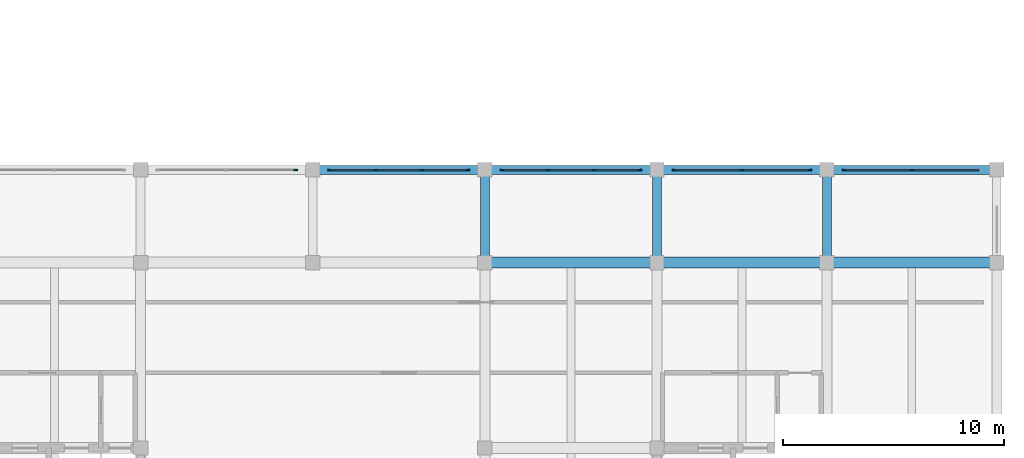
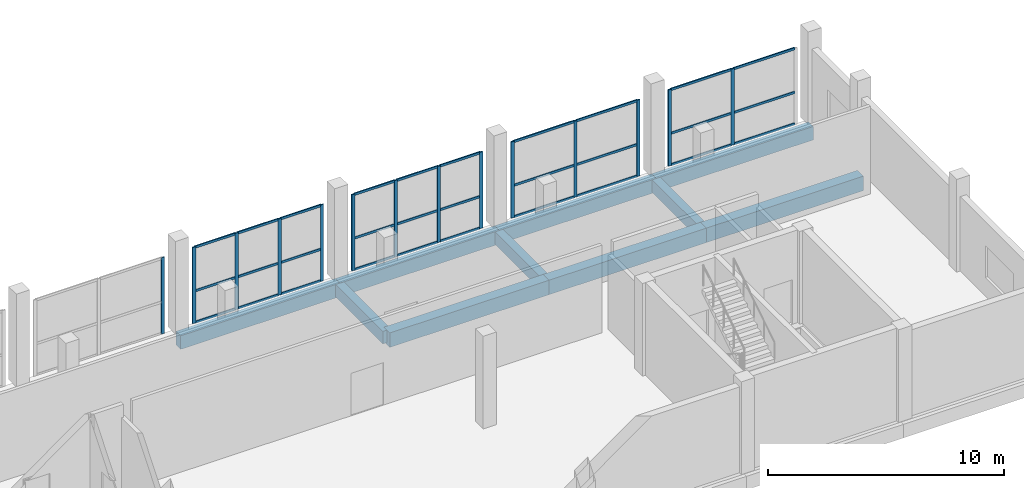
# One storey, part 24 of 47: 44 members, 10 beams, 5 elements without a shape of their own.
"""IFC4 building model written with IfcOpenShell, lengths in metres."""

from ifc_helpers import new_model, si_unit, direction, frame, origin, origin_2d, place, context, subcontext, project, spatial, rectangle, extrude, material, material_profile, profile_set, type_object, element, aggregate, save


model = new_model("IFC4")

# Units and contexts
model_context = context("Model", 3, precision=1e-05, world=origin(), true_north=direction((0.0, 1.0)))
body_context = subcontext(model_context, "Body", "Model", "MODEL_VIEW")
ifc_project = project(units=[si_unit("LENGTHUNIT", "METRE"), si_unit("AREAUNIT", "SQUARE_METRE"), si_unit("VOLUMEUNIT", "CUBIC_METRE"), si_unit("PLANEANGLEUNIT", "RADIAN"), si_unit("MASSUNIT", "GRAM", prefix="KILO")], contexts=[model_context])

# Site, building, storey
site_placement = place(None, origin())
site = spatial("IfcSite", under=ifc_project, at=site_placement, CompositionType="ELEMENT")
building_placement = place(site_placement, origin())
building = spatial("IfcBuilding", under=site, at=building_placement, Name="Vharandega Faculty of Natural Sciences", CompositionType="ELEMENT")
storey_placement = place(building_placement, frame((0.0, 0.0, 5.39990234375)))
storey = spatial("IfcBuildingStorey", under=building, at=storey_placement, Name="L01", CompositionType="ELEMENT", Elevation=5.39990234375)

# Curtain wall, member
ifc_material_1 = material(Name="Aluminium and solar-control glass curtain wall", Category="aluminium")
curtain_wall_type_1 = type_object("IfcCurtainWallType", Name="Unitised Curtain Wall System CW-04", PredefinedType="NOTDEFINED", material=ifc_material_1)
curtain_wall_1_placement = place(storey_placement, origin())
curtain_wall_1 = element("IfcCurtainWall", 1, at=curtain_wall_1_placement, inside=storey, type_object=curtain_wall_type_1, Name="Curtain Wall CW-L01-003", PredefinedType="NOTDEFINED")
ifc_material_2 = material(Name="Thermally broken aluminium 6063-T6", Category="aluminium")
ifc_material_profile_1 = material_profile(ifc_material_2, rectangle(XDim=0.06005859375, YDim=0.159912109375, at=origin_2d()), Name="ALU 60x160")
ifc_profile_set_1 = profile_set([ifc_material_profile_1], Name="Thermally broken aluminium 6063-T6")
member_type_1 = type_object("IfcMemberType", Name="CW Mullion 60x160", PredefinedType="MULLION", material=ifc_profile_set_1)
member_1_placement = place(storey_placement, frame((129.6298828125, 85.0, 0.0), z_axis=(0.0, 0.0, 1.0), x_axis=(0.0, 1.0, 0.0)))
member_1 = element("IfcMember", 2, at=member_1_placement, type_object=member_type_1, Name="CW-04 mullion 3", PredefinedType="MULLION", context=body_context, shape_type="SweptSolid", body=[
    extrude(rectangle(XDim=0.06005859375, YDim=0.159912109375, at=origin_2d()), origin(), (0.0, 0.0, 1.0), 3.9501953125),
])
aggregate(curtain_wall_1, [member_1])

# Curtain wall, members
ifc_material_3 = material(Name="Aluminium and solar-control glass curtain wall", Category="aluminium")
curtain_wall_type_2 = type_object("IfcCurtainWallType", Name="Unitised Curtain Wall System CW-05", PredefinedType="NOTDEFINED", material=ifc_material_3)
curtain_wall_2_placement = place(storey_placement, origin())
curtain_wall_2 = element("IfcCurtainWall", 3, at=curtain_wall_2_placement, inside=storey, type_object=curtain_wall_type_2, Name="Curtain Wall CW-L01-004", PredefinedType="NOTDEFINED")
member_2_placement = place(storey_placement, frame((131.169921875, 85.0, 0.0), z_axis=(0.0, 0.0, 1.0), x_axis=(0.0, 1.0, 0.0)))
member_2 = element("IfcMember", 4, at=member_2_placement, type_object=member_type_1, Name="CW-05 mullion 1", PredefinedType="MULLION", context=body_context, shape_type="SweptSolid", body=[
    extrude(rectangle(XDim=0.06005859375, YDim=0.159912109375, at=origin_2d()), origin(), (0.0, 0.0, 1.0), 3.9501953125),
])
member_3_placement = place(storey_placement, frame((133.24658203125, 85.0, 0.0), z_axis=(0.0, 0.0, 1.0), x_axis=(0.0, 1.0, 0.0)))
member_3 = element("IfcMember", 5, at=member_3_placement, type_object=member_type_1, Name="CW-05 mullion 2", PredefinedType="MULLION", context=body_context, shape_type="SweptSolid", body=[
    extrude(rectangle(XDim=0.06005859375, YDim=0.159912109375, at=origin_2d()), origin(), (0.0, 0.0, 1.0), 3.9501953125),
])
member_4_placement = place(storey_placement, frame((135.353271484375, 85.0, 0.0), z_axis=(0.0, 0.0, 1.0), x_axis=(0.0, 1.0, 0.0)))
member_4 = element("IfcMember", 6, at=member_4_placement, type_object=member_type_1, Name="CW-05 mullion 3", PredefinedType="MULLION", context=body_context, shape_type="SweptSolid", body=[
    extrude(rectangle(XDim=0.06005859375, YDim=0.159912109375, at=origin_2d()), origin(), (0.0, 0.0, 1.0), 3.9501953125),
])
member_5_placement = place(storey_placement, frame((137.429931640625, 85.0, 0.0), z_axis=(0.0, 0.0, 1.0), x_axis=(0.0, 1.0, 0.0)))
member_5 = element("IfcMember", 7, at=member_5_placement, type_object=member_type_1, Name="CW-05 mullion 4", PredefinedType="MULLION", context=body_context, shape_type="SweptSolid", body=[
    extrude(rectangle(XDim=0.06005859375, YDim=0.159912109375, at=origin_2d()), origin(), (0.0, 0.0, 1.0), 3.9501953125),
])

ifc_material_4 = material(Name="Aluminium and solar-control glass curtain wall", Category="aluminium")
curtain_wall_type_3 = type_object("IfcCurtainWallType", Name="Unitised Curtain Wall System CW-06", PredefinedType="NOTDEFINED", material=ifc_material_4)
curtain_wall_3_placement = place(storey_placement, origin())
curtain_wall_3 = element("IfcCurtainWall", 8, at=curtain_wall_3_placement, inside=storey, type_object=curtain_wall_type_3, Name="Curtain Wall CW-L01-005", PredefinedType="NOTDEFINED")
member_6_placement = place(storey_placement, frame((138.969970703125, 85.0, 0.0), z_axis=(0.0, 0.0, 1.0), x_axis=(0.0, 1.0, 0.0)))
member_6 = element("IfcMember", 9, at=member_6_placement, type_object=member_type_1, Name="CW-06 mullion 1", PredefinedType="MULLION", context=body_context, shape_type="SweptSolid", body=[
    extrude(rectangle(XDim=0.06005859375, YDim=0.159912109375, at=origin_2d()), origin(), (0.0, 0.0, 1.0), 3.9501953125),
])
member_7_placement = place(storey_placement, frame((141.046630859375, 85.0, 0.0), z_axis=(0.0, 0.0, 1.0), x_axis=(0.0, 1.0, 0.0)))
member_7 = element("IfcMember", 10, at=member_7_placement, type_object=member_type_1, Name="CW-06 mullion 2", PredefinedType="MULLION", context=body_context, shape_type="SweptSolid", body=[
    extrude(rectangle(XDim=0.06005859375, YDim=0.159912109375, at=origin_2d()), origin(), (0.0, 0.0, 1.0), 3.9501953125),
])
member_8_placement = place(storey_placement, frame((143.1533203125, 85.0, 0.0), z_axis=(0.0, 0.0, 1.0), x_axis=(0.0, 1.0, 0.0)))
member_8 = element("IfcMember", 11, at=member_8_placement, type_object=member_type_1, Name="CW-06 mullion 3", PredefinedType="MULLION", context=body_context, shape_type="SweptSolid", body=[
    extrude(rectangle(XDim=0.06005859375, YDim=0.159912109375, at=origin_2d()), origin(), (0.0, 0.0, 1.0), 3.9501953125),
])
member_9_placement = place(storey_placement, frame((145.22998046875, 85.0, 0.0), z_axis=(0.0, 0.0, 1.0), x_axis=(0.0, 1.0, 0.0)))
member_9 = element("IfcMember", 12, at=member_9_placement, type_object=member_type_1, Name="CW-06 mullion 4", PredefinedType="MULLION", context=body_context, shape_type="SweptSolid", body=[
    extrude(rectangle(XDim=0.06005859375, YDim=0.159912109375, at=origin_2d()), origin(), (0.0, 0.0, 1.0), 3.9501953125),
])

ifc_material_5 = material(Name="Aluminium and solar-control glass curtain wall", Category="aluminium")
curtain_wall_type_4 = type_object("IfcCurtainWallType", Name="Unitised Curtain Wall System CW-07", PredefinedType="NOTDEFINED", material=ifc_material_5)
curtain_wall_4_placement = place(storey_placement, origin())
curtain_wall_4 = element("IfcCurtainWall", 13, at=curtain_wall_4_placement, inside=storey, type_object=curtain_wall_type_4, Name="Curtain Wall CW-L01-006", PredefinedType="NOTDEFINED")
member_10_placement = place(storey_placement, frame((146.77001953125, 85.0, 0.0), z_axis=(0.0, 0.0, 1.0), x_axis=(0.0, 1.0, 0.0)))
member_10 = element("IfcMember", 14, at=member_10_placement, type_object=member_type_1, Name="CW-07 mullion 1", PredefinedType="MULLION", context=body_context, shape_type="SweptSolid", body=[
    extrude(rectangle(XDim=0.06005859375, YDim=0.159912109375, at=origin_2d()), origin(), (0.0, 0.0, 1.0), 3.9501953125),
])
member_11_placement = place(storey_placement, frame((149.85009765625, 85.0, 0.0), z_axis=(0.0, 0.0, 1.0), x_axis=(0.0, 1.0, 0.0)))
member_11 = element("IfcMember", 15, at=member_11_placement, type_object=member_type_1, Name="CW-07 mullion 2", PredefinedType="MULLION", context=body_context, shape_type="SweptSolid", body=[
    extrude(rectangle(XDim=0.06005859375, YDim=0.159912109375, at=origin_2d()), origin(), (0.0, 0.0, 1.0), 3.9501953125),
])
member_12_placement = place(storey_placement, frame((152.929931640625, 85.0, 0.0), z_axis=(0.0, 0.0, 1.0), x_axis=(0.0, 1.0, 0.0)))
member_12 = element("IfcMember", 16, at=member_12_placement, type_object=member_type_1, Name="CW-07 mullion 3", PredefinedType="MULLION", context=body_context, shape_type="SweptSolid", body=[
    extrude(rectangle(XDim=0.06005859375, YDim=0.159912109375, at=origin_2d()), origin(), (0.0, 0.0, 1.0), 3.9501953125),
])

ifc_material_6 = material(Name="Aluminium and solar-control glass curtain wall", Category="aluminium")
curtain_wall_type_5 = type_object("IfcCurtainWallType", Name="Unitised Curtain Wall System CW-08", PredefinedType="NOTDEFINED", material=ifc_material_6)
curtain_wall_5_placement = place(storey_placement, origin())
curtain_wall_5 = element("IfcCurtainWall", 17, at=curtain_wall_5_placement, inside=storey, type_object=curtain_wall_type_5, Name="Curtain Wall CW-L01-007", PredefinedType="NOTDEFINED")
member_13_placement = place(storey_placement, frame((154.469970703125, 85.0, 0.0), z_axis=(0.0, 0.0, 1.0), x_axis=(0.0, 1.0, 0.0)))
member_13 = element("IfcMember", 18, at=member_13_placement, type_object=member_type_1, Name="CW-08 mullion 1", PredefinedType="MULLION", context=body_context, shape_type="SweptSolid", body=[
    extrude(rectangle(XDim=0.06005859375, YDim=0.159912109375, at=origin_2d()), origin(), (0.0, 0.0, 1.0), 3.9501953125),
])
member_14_placement = place(storey_placement, frame((157.550048828125, 85.0, 0.0), z_axis=(0.0, 0.0, 1.0), x_axis=(0.0, 1.0, 0.0)))
member_14 = element("IfcMember", 19, at=member_14_placement, type_object=member_type_1, Name="CW-08 mullion 2", PredefinedType="MULLION", context=body_context, shape_type="SweptSolid", body=[
    extrude(rectangle(XDim=0.06005859375, YDim=0.159912109375, at=origin_2d()), origin(), (0.0, 0.0, 1.0), 3.9501953125),
])

# Member
ifc_material_7 = material(Name="Thermally broken aluminium 6063-T6", Category="aluminium")
ifc_material_profile_2 = material_profile(ifc_material_7, rectangle(XDim=0.06005859375, YDim=0.1201171875, at=origin_2d()), Name="ALU 60x120")
ifc_profile_set_2 = profile_set([ifc_material_profile_2], Name="Thermally broken aluminium 6063-T6")
member_type_2 = type_object("IfcMemberType", Name="CW Transom 60x120", PredefinedType="USERDEFINED", material=ifc_profile_set_2)
member_15_placement = place(storey_placement, frame((131.199951171875, 85.0, 0.030029296875), z_axis=(1.0, 0.0, 0.0), x_axis=(0.0, 1.0, 0.0)))
member_15 = element("IfcMember", 20, at=member_15_placement, type_object=member_type_2, Name="CW-05 transom 1.1", ObjectType="TRANSOM", PredefinedType="USERDEFINED", context=body_context, shape_type="SweptSolid", body=[
    extrude(rectangle(XDim=0.06005859375, YDim=0.1201171875, at=origin_2d()), origin(), (0.0, 0.0, 1.0), 2.0166015625),
])

member_16_placement = place(storey_placement, frame((131.199951171875, 85.0, 1.6591796875), z_axis=(1.0, 0.0, 0.0), x_axis=(0.0, 1.0, 0.0)))
member_16 = element("IfcMember", 21, at=member_16_placement, type_object=member_type_2, Name="CW-05 transom 1.2", ObjectType="TRANSOM", PredefinedType="USERDEFINED", context=body_context, shape_type="SweptSolid", body=[
    extrude(rectangle(XDim=0.06005859375, YDim=0.1201171875, at=origin_2d()), origin(), (0.0, 0.0, 1.0), 2.0166015625),
])

member_17_placement = place(storey_placement, frame((131.199951171875, 85.0, 3.920166015625), z_axis=(1.0, 0.0, 0.0), x_axis=(0.0, 1.0, 0.0)))
member_17 = element("IfcMember", 22, at=member_17_placement, type_object=member_type_2, Name="CW-05 transom 1.3", ObjectType="TRANSOM", PredefinedType="USERDEFINED", context=body_context, shape_type="SweptSolid", body=[
    extrude(rectangle(XDim=0.06005859375, YDim=0.1201171875, at=origin_2d()), origin(), (0.0, 0.0, 1.0), 2.0166015625),
])

member_18_placement = place(storey_placement, frame((133.276611328125, 85.0, 0.030029296875), z_axis=(1.0, 0.0, 0.0), x_axis=(0.0, 1.0, 0.0)))
member_18 = element("IfcMember", 23, at=member_18_placement, type_object=member_type_2, Name="CW-05 transom 2.1", ObjectType="TRANSOM", PredefinedType="USERDEFINED", context=body_context, shape_type="SweptSolid", body=[
    extrude(rectangle(XDim=0.06005859375, YDim=0.1201171875, at=origin_2d()), origin(), (0.0, 0.0, 1.0), 2.046630859375),
])

member_19_placement = place(storey_placement, frame((133.276611328125, 85.0, 1.6591796875), z_axis=(1.0, 0.0, 0.0), x_axis=(0.0, 1.0, 0.0)))
member_19 = element("IfcMember", 24, at=member_19_placement, type_object=member_type_2, Name="CW-05 transom 2.2", ObjectType="TRANSOM", PredefinedType="USERDEFINED", context=body_context, shape_type="SweptSolid", body=[
    extrude(rectangle(XDim=0.06005859375, YDim=0.1201171875, at=origin_2d()), origin(), (0.0, 0.0, 1.0), 2.046630859375),
])

member_20_placement = place(storey_placement, frame((133.276611328125, 85.0, 3.920166015625), z_axis=(1.0, 0.0, 0.0), x_axis=(0.0, 1.0, 0.0)))
member_20 = element("IfcMember", 25, at=member_20_placement, type_object=member_type_2, Name="CW-05 transom 2.3", ObjectType="TRANSOM", PredefinedType="USERDEFINED", context=body_context, shape_type="SweptSolid", body=[
    extrude(rectangle(XDim=0.06005859375, YDim=0.1201171875, at=origin_2d()), origin(), (0.0, 0.0, 1.0), 2.046630859375),
])

member_21_placement = place(storey_placement, frame((135.38330078125, 85.0, 0.030029296875), z_axis=(1.0, 0.0, 0.0), x_axis=(0.0, 1.0, 0.0)))
member_21 = element("IfcMember", 26, at=member_21_placement, type_object=member_type_2, Name="CW-05 transom 3.1", ObjectType="TRANSOM", PredefinedType="USERDEFINED", context=body_context, shape_type="SweptSolid", body=[
    extrude(rectangle(XDim=0.06005859375, YDim=0.1201171875, at=origin_2d()), origin(), (0.0, 0.0, 1.0), 2.0166015625),
])

member_22_placement = place(storey_placement, frame((135.38330078125, 85.0, 1.6591796875), z_axis=(1.0, 0.0, 0.0), x_axis=(0.0, 1.0, 0.0)))
member_22 = element("IfcMember", 27, at=member_22_placement, type_object=member_type_2, Name="CW-05 transom 3.2", ObjectType="TRANSOM", PredefinedType="USERDEFINED", context=body_context, shape_type="SweptSolid", body=[
    extrude(rectangle(XDim=0.06005859375, YDim=0.1201171875, at=origin_2d()), origin(), (0.0, 0.0, 1.0), 2.0166015625),
])

member_23_placement = place(storey_placement, frame((135.38330078125, 85.0, 3.920166015625), z_axis=(1.0, 0.0, 0.0), x_axis=(0.0, 1.0, 0.0)))
member_23 = element("IfcMember", 28, at=member_23_placement, type_object=member_type_2, Name="CW-05 transom 3.3", ObjectType="TRANSOM", PredefinedType="USERDEFINED", context=body_context, shape_type="SweptSolid", body=[
    extrude(rectangle(XDim=0.06005859375, YDim=0.1201171875, at=origin_2d()), origin(), (0.0, 0.0, 1.0), 2.0166015625),
])

aggregate(curtain_wall_2, [member_2, member_3, member_4, member_5, member_15, member_16, member_17, member_18, member_19, member_20, member_21, member_22, member_23])

member_24_placement = place(storey_placement, frame((139.0, 85.0, 0.030029296875), z_axis=(1.0, 0.0, 0.0), x_axis=(0.0, 1.0, 0.0)))
member_24 = element("IfcMember", 29, at=member_24_placement, type_object=member_type_2, Name="CW-06 transom 1.1", ObjectType="TRANSOM", PredefinedType="USERDEFINED", context=body_context, shape_type="SweptSolid", body=[
    extrude(rectangle(XDim=0.06005859375, YDim=0.1201171875, at=origin_2d()), origin(), (0.0, 0.0, 1.0), 2.0166015625),
])

member_25_placement = place(storey_placement, frame((139.0, 85.0, 1.6591796875), z_axis=(1.0, 0.0, 0.0), x_axis=(0.0, 1.0, 0.0)))
member_25 = element("IfcMember", 30, at=member_25_placement, type_object=member_type_2, Name="CW-06 transom 1.2", ObjectType="TRANSOM", PredefinedType="USERDEFINED", context=body_context, shape_type="SweptSolid", body=[
    extrude(rectangle(XDim=0.06005859375, YDim=0.1201171875, at=origin_2d()), origin(), (0.0, 0.0, 1.0), 2.0166015625),
])

member_26_placement = place(storey_placement, frame((139.0, 85.0, 3.920166015625), z_axis=(1.0, 0.0, 0.0), x_axis=(0.0, 1.0, 0.0)))
member_26 = element("IfcMember", 31, at=member_26_placement, type_object=member_type_2, Name="CW-06 transom 1.3", ObjectType="TRANSOM", PredefinedType="USERDEFINED", context=body_context, shape_type="SweptSolid", body=[
    extrude(rectangle(XDim=0.06005859375, YDim=0.1201171875, at=origin_2d()), origin(), (0.0, 0.0, 1.0), 2.0166015625),
])

member_27_placement = place(storey_placement, frame((141.07666015625, 85.0, 0.030029296875), z_axis=(1.0, 0.0, 0.0), x_axis=(0.0, 1.0, 0.0)))
member_27 = element("IfcMember", 32, at=member_27_placement, type_object=member_type_2, Name="CW-06 transom 2.1", ObjectType="TRANSOM", PredefinedType="USERDEFINED", context=body_context, shape_type="SweptSolid", body=[
    extrude(rectangle(XDim=0.06005859375, YDim=0.1201171875, at=origin_2d()), origin(), (0.0, 0.0, 1.0), 2.046630859375),
])

member_28_placement = place(storey_placement, frame((141.07666015625, 85.0, 1.6591796875), z_axis=(1.0, 0.0, 0.0), x_axis=(0.0, 1.0, 0.0)))
member_28 = element("IfcMember", 33, at=member_28_placement, type_object=member_type_2, Name="CW-06 transom 2.2", ObjectType="TRANSOM", PredefinedType="USERDEFINED", context=body_context, shape_type="SweptSolid", body=[
    extrude(rectangle(XDim=0.06005859375, YDim=0.1201171875, at=origin_2d()), origin(), (0.0, 0.0, 1.0), 2.046630859375),
])

member_29_placement = place(storey_placement, frame((141.07666015625, 85.0, 3.920166015625), z_axis=(1.0, 0.0, 0.0), x_axis=(0.0, 1.0, 0.0)))
member_29 = element("IfcMember", 34, at=member_29_placement, type_object=member_type_2, Name="CW-06 transom 2.3", ObjectType="TRANSOM", PredefinedType="USERDEFINED", context=body_context, shape_type="SweptSolid", body=[
    extrude(rectangle(XDim=0.06005859375, YDim=0.1201171875, at=origin_2d()), origin(), (0.0, 0.0, 1.0), 2.046630859375),
])

member_30_placement = place(storey_placement, frame((143.183349609375, 85.0, 0.030029296875), z_axis=(1.0, 0.0, 0.0), x_axis=(0.0, 1.0, 0.0)))
member_30 = element("IfcMember", 35, at=member_30_placement, type_object=member_type_2, Name="CW-06 transom 3.1", ObjectType="TRANSOM", PredefinedType="USERDEFINED", context=body_context, shape_type="SweptSolid", body=[
    extrude(rectangle(XDim=0.06005859375, YDim=0.1201171875, at=origin_2d()), origin(), (0.0, 0.0, 1.0), 2.0166015625),
])

member_31_placement = place(storey_placement, frame((143.183349609375, 85.0, 1.6591796875), z_axis=(1.0, 0.0, 0.0), x_axis=(0.0, 1.0, 0.0)))
member_31 = element("IfcMember", 36, at=member_31_placement, type_object=member_type_2, Name="CW-06 transom 3.2", ObjectType="TRANSOM", PredefinedType="USERDEFINED", context=body_context, shape_type="SweptSolid", body=[
    extrude(rectangle(XDim=0.06005859375, YDim=0.1201171875, at=origin_2d()), origin(), (0.0, 0.0, 1.0), 2.0166015625),
])

member_32_placement = place(storey_placement, frame((143.183349609375, 85.0, 3.920166015625), z_axis=(1.0, 0.0, 0.0), x_axis=(0.0, 1.0, 0.0)))
member_32 = element("IfcMember", 37, at=member_32_placement, type_object=member_type_2, Name="CW-06 transom 3.3", ObjectType="TRANSOM", PredefinedType="USERDEFINED", context=body_context, shape_type="SweptSolid", body=[
    extrude(rectangle(XDim=0.06005859375, YDim=0.1201171875, at=origin_2d()), origin(), (0.0, 0.0, 1.0), 2.0166015625),
])

aggregate(curtain_wall_3, [member_6, member_7, member_8, member_9, member_24, member_25, member_26, member_27, member_28, member_29, member_30, member_31, member_32])

member_33_placement = place(storey_placement, frame((146.800048828125, 85.0, 0.030029296875), z_axis=(1.0, 0.0, 0.0), x_axis=(0.0, 1.0, 0.0)))
member_33 = element("IfcMember", 38, at=member_33_placement, type_object=member_type_2, Name="CW-07 transom 1.1", ObjectType="TRANSOM", PredefinedType="USERDEFINED", context=body_context, shape_type="SweptSolid", body=[
    extrude(rectangle(XDim=0.06005859375, YDim=0.1201171875, at=origin_2d()), origin(), (0.0, 0.0, 1.0), 3.02001953125),
])

member_34_placement = place(storey_placement, frame((146.800048828125, 85.0, 1.6591796875), z_axis=(1.0, 0.0, 0.0), x_axis=(0.0, 1.0, 0.0)))
member_34 = element("IfcMember", 39, at=member_34_placement, type_object=member_type_2, Name="CW-07 transom 1.2", ObjectType="TRANSOM", PredefinedType="USERDEFINED", context=body_context, shape_type="SweptSolid", body=[
    extrude(rectangle(XDim=0.06005859375, YDim=0.1201171875, at=origin_2d()), origin(), (0.0, 0.0, 1.0), 3.02001953125),
])

member_35_placement = place(storey_placement, frame((146.800048828125, 85.0, 3.920166015625), z_axis=(1.0, 0.0, 0.0), x_axis=(0.0, 1.0, 0.0)))
member_35 = element("IfcMember", 40, at=member_35_placement, type_object=member_type_2, Name="CW-07 transom 1.3", ObjectType="TRANSOM", PredefinedType="USERDEFINED", context=body_context, shape_type="SweptSolid", body=[
    extrude(rectangle(XDim=0.06005859375, YDim=0.1201171875, at=origin_2d()), origin(), (0.0, 0.0, 1.0), 3.02001953125),
])

member_36_placement = place(storey_placement, frame((149.8798828125, 85.0, 0.030029296875), z_axis=(1.0, 0.0, 0.0), x_axis=(0.0, 1.0, 0.0)))
member_36 = element("IfcMember", 41, at=member_36_placement, type_object=member_type_2, Name="CW-07 transom 2.1", ObjectType="TRANSOM", PredefinedType="USERDEFINED", context=body_context, shape_type="SweptSolid", body=[
    extrude(rectangle(XDim=0.06005859375, YDim=0.1201171875, at=origin_2d()), origin(), (0.0, 0.0, 1.0), 3.02001953125),
])

member_37_placement = place(storey_placement, frame((149.8798828125, 85.0, 1.6591796875), z_axis=(1.0, 0.0, 0.0), x_axis=(0.0, 1.0, 0.0)))
member_37 = element("IfcMember", 42, at=member_37_placement, type_object=member_type_2, Name="CW-07 transom 2.2", ObjectType="TRANSOM", PredefinedType="USERDEFINED", context=body_context, shape_type="SweptSolid", body=[
    extrude(rectangle(XDim=0.06005859375, YDim=0.1201171875, at=origin_2d()), origin(), (0.0, 0.0, 1.0), 3.02001953125),
])

member_38_placement = place(storey_placement, frame((149.8798828125, 85.0, 3.920166015625), z_axis=(1.0, 0.0, 0.0), x_axis=(0.0, 1.0, 0.0)))
member_38 = element("IfcMember", 43, at=member_38_placement, type_object=member_type_2, Name="CW-07 transom 2.3", ObjectType="TRANSOM", PredefinedType="USERDEFINED", context=body_context, shape_type="SweptSolid", body=[
    extrude(rectangle(XDim=0.06005859375, YDim=0.1201171875, at=origin_2d()), origin(), (0.0, 0.0, 1.0), 3.02001953125),
])

aggregate(curtain_wall_4, [member_10, member_11, member_12, member_33, member_34, member_35, member_36, member_37, member_38])

member_39_placement = place(storey_placement, frame((154.5, 85.0, 0.030029296875), z_axis=(1.0, 0.0, 0.0), x_axis=(0.0, 1.0, 0.0)))
member_39 = element("IfcMember", 44, at=member_39_placement, type_object=member_type_2, Name="CW-08 transom 1.1", ObjectType="TRANSOM", PredefinedType="USERDEFINED", context=body_context, shape_type="SweptSolid", body=[
    extrude(rectangle(XDim=0.06005859375, YDim=0.1201171875, at=origin_2d()), origin(), (0.0, 0.0, 1.0), 3.02001953125),
])

member_40_placement = place(storey_placement, frame((154.5, 85.0, 1.6591796875), z_axis=(1.0, 0.0, 0.0), x_axis=(0.0, 1.0, 0.0)))
member_40 = element("IfcMember", 45, at=member_40_placement, type_object=member_type_2, Name="CW-08 transom 1.2", ObjectType="TRANSOM", PredefinedType="USERDEFINED", context=body_context, shape_type="SweptSolid", body=[
    extrude(rectangle(XDim=0.06005859375, YDim=0.1201171875, at=origin_2d()), origin(), (0.0, 0.0, 1.0), 3.02001953125),
])

member_41_placement = place(storey_placement, frame((154.5, 85.0, 3.920166015625), z_axis=(1.0, 0.0, 0.0), x_axis=(0.0, 1.0, 0.0)))
member_41 = element("IfcMember", 46, at=member_41_placement, type_object=member_type_2, Name="CW-08 transom 1.3", ObjectType="TRANSOM", PredefinedType="USERDEFINED", context=body_context, shape_type="SweptSolid", body=[
    extrude(rectangle(XDim=0.06005859375, YDim=0.1201171875, at=origin_2d()), origin(), (0.0, 0.0, 1.0), 3.02001953125),
])

member_42_placement = place(storey_placement, frame((157.580078125, 85.0, 0.030029296875), z_axis=(1.0, 0.0, 0.0), x_axis=(0.0, 1.0, 0.0)))
member_42 = element("IfcMember", 47, at=member_42_placement, type_object=member_type_2, Name="CW-08 transom 2.1", ObjectType="TRANSOM", PredefinedType="USERDEFINED", context=body_context, shape_type="SweptSolid", body=[
    extrude(rectangle(XDim=0.06005859375, YDim=0.1201171875, at=origin_2d()), origin(), (0.0, 0.0, 1.0), 3.02001953125),
])

member_43_placement = place(storey_placement, frame((157.580078125, 85.0, 1.6591796875), z_axis=(1.0, 0.0, 0.0), x_axis=(0.0, 1.0, 0.0)))
member_43 = element("IfcMember", 48, at=member_43_placement, type_object=member_type_2, Name="CW-08 transom 2.2", ObjectType="TRANSOM", PredefinedType="USERDEFINED", context=body_context, shape_type="SweptSolid", body=[
    extrude(rectangle(XDim=0.06005859375, YDim=0.1201171875, at=origin_2d()), origin(), (0.0, 0.0, 1.0), 3.02001953125),
])

member_44_placement = place(storey_placement, frame((157.580078125, 85.0, 3.920166015625), z_axis=(1.0, 0.0, 0.0), x_axis=(0.0, 1.0, 0.0)))
member_44 = element("IfcMember", 49, at=member_44_placement, type_object=member_type_2, Name="CW-08 transom 2.3", ObjectType="TRANSOM", PredefinedType="USERDEFINED", context=body_context, shape_type="SweptSolid", body=[
    extrude(rectangle(XDim=0.06005859375, YDim=0.1201171875, at=origin_2d()), origin(), (0.0, 0.0, 1.0), 3.02001953125),
])

aggregate(curtain_wall_5, [member_13, member_14, member_39, member_40, member_41, member_42, member_43, member_44])

# Beams
ifc_material_8 = material(Name="Concrete C40/50", Category="concrete")
ifc_material_profile_3 = material_profile(ifc_material_8, rectangle(XDim=0.39990234375, YDim=0.64990234375, at=origin_2d()), Name="RC 400x650")
ifc_profile_set_3 = profile_set([ifc_material_profile_3], Name="Concrete C40/50")
beam_type_1 = type_object("IfcBeamType", Name="Podium Floor Beam 400x650", PredefinedType="BEAM", material=ifc_profile_set_3)
for number, where, z_axis, x_axis, name in (
    (50, (138.199951171875, 80.800048828125, -0.60498046875), (0.0, 1.0, 0.0), (-1.0, 0.0, 0.0), "Beam L01 18/L-M"),
    (51, (146.0, 80.800048828125, -0.60498046875), (0.0, 1.0, 0.0), (-1.0, 0.0, 0.0), "Beam L01 19/L-M"),
    (52, (153.699951171875, 80.800048828125, -0.60498046875), (0.0, 1.0, 0.0), (-1.0, 0.0, 0.0), "Beam L01 20/L-M"),
):
    element("IfcBeam", number, at=place(storey_placement, frame(where, z_axis=z_axis, x_axis=x_axis)), inside=storey, type_object=beam_type_1, Name=name, PredefinedType="BEAM", context=body_context, shape_type="SweptSolid", body=[
        extrude(rectangle(XDim=0.39990234375, YDim=0.64990234375, at=origin_2d()), origin(), (0.0, 0.0, 1.0), 4.199951171875),
    ])
ifc_material_9 = material(Name="Concrete C40/50", Category="concrete")
ifc_material_profile_4 = material_profile(ifc_material_9, rectangle(XDim=0.5, YDim=0.75, at=origin_2d()), Name="RC 500x750")
ifc_profile_set_4 = profile_set([ifc_material_profile_4], Name="Concrete C40/50")
beam_type_2 = type_object("IfcBeamType", Name="Podium Primary Beam 500x750", PredefinedType="BEAM", material=ifc_profile_set_4)
beam_placement = place(storey_placement, frame((138.199951171875, 80.800048828125, -0.65478515625), z_axis=(1.0, 0.0, 0.0), x_axis=(0.0, 1.0, 0.0)))
element("IfcBeam", 53, at=beam_placement, inside=storey, type_object=beam_type_2, Name="Beam L01 L/18-19", PredefinedType="BEAM", context=body_context, shape_type="SweptSolid", body=[
    extrude(rectangle(XDim=0.5, YDim=0.75, at=origin_2d()), origin(), (0.0, 0.0, 1.0), 7.800048828125),
])
for number, where, z_axis, x_axis, name in (
    (54, (146.0, 80.800048828125, -0.65478515625), (1.0, 0.0, 0.0), (0.0, 1.0, 0.0), "Beam L01 L/19-20"),
    (55, (153.699951171875, 80.800048828125, -0.65478515625), (1.0, 0.0, 0.0), (0.0, 1.0, 0.0), "Beam L01 L/20-21"),
):
    element("IfcBeam", number, at=place(storey_placement, frame(where, z_axis=z_axis, x_axis=x_axis)), inside=storey, type_object=beam_type_2, Name=name, PredefinedType="BEAM", context=body_context, shape_type="SweptSolid", body=[
        extrude(rectangle(XDim=0.5, YDim=0.75, at=origin_2d()), origin(), (0.0, 0.0, 1.0), 7.699951171875),
    ])
ifc_material_10 = material(Name="Concrete C40/50", Category="concrete")
ifc_material_profile_5 = material_profile(ifc_material_10, rectangle(XDim=0.39990234375, YDim=0.699951171875, at=origin_2d()), Name="RC 400x700")
ifc_profile_set_5 = profile_set([ifc_material_profile_5], Name="Concrete C40/50")
beam_type_3 = type_object("IfcBeamType", Name="Podium Spandrel Beam 400x700", PredefinedType="SPANDREL", material=ifc_profile_set_5)
for number, where, z_axis, x_axis, name in (
    (56, (130.39990234375, 85.0, -0.6298828125), (1.0, 0.0, 0.0), (0.0, 1.0, 0.0), "Beam L01 M/17-18"),
    (57, (138.199951171875, 85.0, -0.6298828125), (1.0, 0.0, 0.0), (0.0, 1.0, 0.0), "Beam L01 M/18-19"),
):
    element("IfcBeam", number, at=place(storey_placement, frame(where, z_axis=z_axis, x_axis=x_axis)), inside=storey, type_object=beam_type_3, Name=name, PredefinedType="SPANDREL", context=body_context, shape_type="SweptSolid", body=[
        extrude(rectangle(XDim=0.39990234375, YDim=0.699951171875, at=origin_2d()), origin(), (0.0, 0.0, 1.0), 7.800048828125),
    ])
for number, where, z_axis, x_axis, name in (
    (58, (146.0, 85.0, -0.6298828125), (1.0, 0.0, 0.0), (0.0, 1.0, 0.0), "Beam L01 M/19-20"),
    (59, (153.699951171875, 85.0, -0.6298828125), (1.0, 0.0, 0.0), (0.0, 1.0, 0.0), "Beam L01 M/20-21"),
):
    element("IfcBeam", number, at=place(storey_placement, frame(where, z_axis=z_axis, x_axis=x_axis)), inside=storey, type_object=beam_type_3, Name=name, PredefinedType="SPANDREL", context=body_context, shape_type="SweptSolid", body=[
        extrude(rectangle(XDim=0.39990234375, YDim=0.699951171875, at=origin_2d()), origin(), (0.0, 0.0, 1.0), 7.699951171875),
    ])

save(model, "model.ifc")
